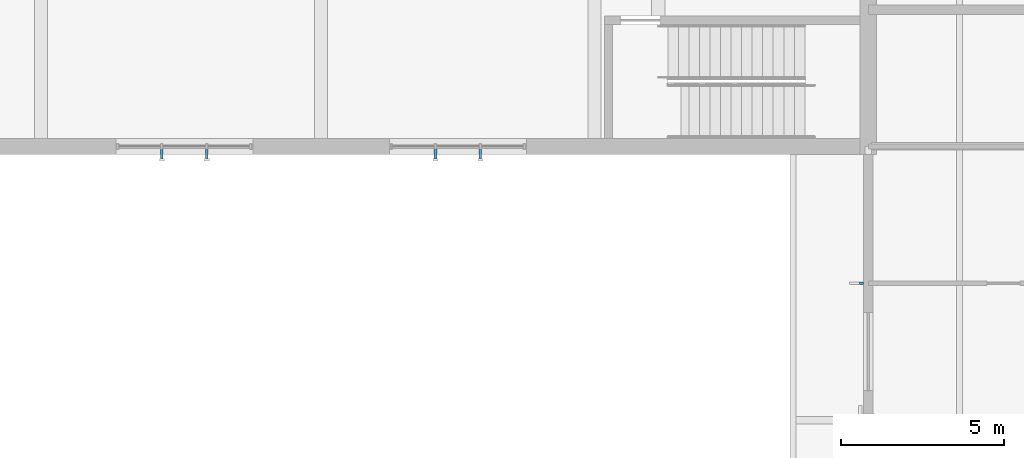
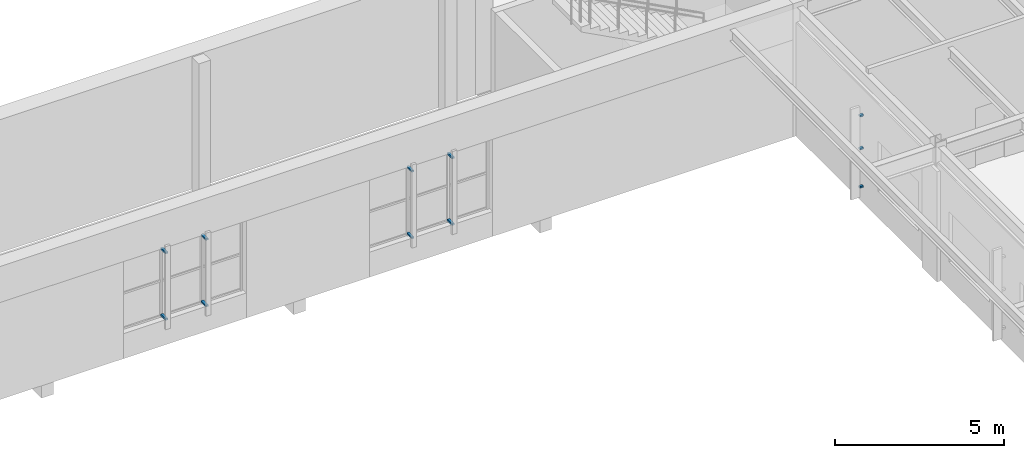
# One storey, part 90 of 116: 11 discrete accessories.
"""IFC4 building model written with IfcOpenShell, lengths in metres."""

import ifcopenshell
import ifcopenshell.guid

model = None  # the IFC model being written
_history = None  # IfcOwnerHistory: only IFC2X3 demands one
_inside = {}  # id of a spatial element -> (the spatial element, [elements in it])
_under = {}  # id of a project, library or spatial element -> (it, [spatial elements below it])
_declared = {}  # id of a project -> (the project, [libraries it declares])
_typed = {}  # id of a type object -> (the type object, [elements of that type])
_made_of = {}  # id of a material, layer set ... -> (it, [elements and type objects made of it])


def new_model(schema):
    """Start an empty IFC model of exactly this schema.

    Asked for "IFC4X3", IfcOpenShell would pick the latest addendum, in which some entities
    have other attributes; the version numbers below select the first issue.
    IFC2X3 requires an IfcOwnerHistory on every rooted entity: one is made here for all.
    """
    global model, _history
    if schema == "IFC4X3":
        model = ifcopenshell.file(schema_version=(4, 3, 0, 0))
    else:
        model = ifcopenshell.file(schema=schema)
    _inside.clear()
    _under.clear()
    _declared.clear()
    _typed.clear()
    _made_of.clear()
    _history = None
    if model.schema == "IFC2X3":
        org = make("IfcOrganization", Name="unknown")
        user = make(
            "IfcPersonAndOrganization",
            ThePerson=make("IfcPerson", FamilyName="unknown"),
            TheOrganization=org,
        )
        app = make(
            "IfcApplication",
            ApplicationDeveloper=org,
            Version="unknown",
            ApplicationFullName="unknown",
            ApplicationIdentifier="unknown",
        )
        _history = make(
            "IfcOwnerHistory",
            OwningUser=user,
            OwningApplication=app,
            ChangeAction="ADDED",
            CreationDate=0,
        )
    return model


def make(cls, **values):
    """One entity of the class cls with the attributes given. An attribute that is None is left unset."""
    return model.create_entity(
        cls, **{name: value for name, value in values.items() if value is not None}
    )


def rooted(cls, **values):
    """An entity with a GlobalId (a new one), such as an element, a storey or a relation."""
    return make(cls, GlobalId=ifcopenshell.guid.new(), OwnerHistory=_history, **values)


def si_unit(unit_type, name, prefix=None):
    """IfcSIUnit, for example si_unit("LENGTHUNIT", "METRE", prefix="MILLI")."""
    return make("IfcSIUnit", UnitType=unit_type, Prefix=prefix, Name=name)


def assignment(units):
    """IfcUnitAssignment: the units of a project."""
    return None if units is None else make("IfcUnitAssignment", Units=units)


def point(xyz):
    """IfcCartesianPoint."""
    return None if xyz is None else make("IfcCartesianPoint", Coordinates=xyz)


def direction(xyz):
    """IfcDirection."""
    return None if xyz is None else make("IfcDirection", DirectionRatios=xyz)


def frame(location, z_axis=None, x_axis=None):
    """IfcAxis2Placement3D, a coordinate frame: its origin and axes. An axis left out is left unset."""
    return make(
        "IfcAxis2Placement3D",
        Location=point(location),
        Axis=direction(z_axis),
        RefDirection=direction(x_axis),
    )


def frame_2d(location, x_axis=None):
    """IfcAxis2Placement2D, a coordinate frame in the plane: its origin and x axis."""
    return make(
        "IfcAxis2Placement2D", Location=point(location), RefDirection=direction(x_axis)
    )


def origin():
    """The frame at (0, 0, 0) with its axes left unset."""
    return frame((0.0, 0.0, 0.0))


def origin_2d():
    """The frame at (0, 0) in the plane with its x axis left unset."""
    return frame_2d((0.0, 0.0))


def place(relative_to, where):
    """IfcLocalPlacement: puts the frame where relative to a parent placement (None: the world)."""
    return make(
        "IfcLocalPlacement", PlacementRelTo=relative_to, RelativePlacement=where
    )


def context(
    kind, dimensions, precision=None, world=None, true_north=None, identifier=None
):
    """IfcGeometricRepresentationContext, for example the 3D "Model" context."""
    return make(
        "IfcGeometricRepresentationContext",
        ContextIdentifier=identifier,
        ContextType=kind,
        CoordinateSpaceDimension=dimensions,
        Precision=precision,
        WorldCoordinateSystem=world,
        TrueNorth=true_north,
    )


def subcontext(parent, identifier, kind, view, scale=None):
    """IfcGeometricRepresentationSubContext, for example "Body" below "Model"."""
    return make(
        "IfcGeometricRepresentationSubContext",
        ContextIdentifier=identifier,
        ContextType=kind,
        ParentContext=parent,
        TargetScale=scale,
        TargetView=view,
    )


def project(units=None, contexts=None):
    """IfcProject with its units and contexts."""
    return rooted(
        "IfcProject",
        Name="project",
        RepresentationContexts=contexts,
        UnitsInContext=assignment(units),
    )


def spatial(cls, under=None, at=None, **own):
    """A site, building, storey or space (cls), placed at a placement, below another one or the project."""
    s = rooted(cls, ObjectPlacement=at, **own)
    if under is not None:
        _under.setdefault(under.id(), (under, []))[1].append(s)
    return s


def profile(cls, at=None, kind="AREA", **sizes):
    """A parametric profile (cls). Its sizes go by their IFC names, for example OverallWidth=200.0."""
    return make(cls, ProfileType=kind, Position=at, **sizes)


def rectangle(**sizes):
    """IfcRectangleProfileDef."""
    return profile("IfcRectangleProfileDef", **sizes)


def extrude(swept, where, along, depth):
    """IfcExtrudedAreaSolid: the profile swept, set in the frame where, extruded along a direction by depth."""
    return make(
        "IfcExtrudedAreaSolid",
        SweptArea=swept,
        Position=where,
        ExtrudedDirection=direction(along),
        Depth=depth,
    )


def shape(context_of_items, identifier, shape_type, items):
    """IfcShapeRepresentation: the items that make up one representation, for example the "Body"."""
    return make(
        "IfcShapeRepresentation",
        ContextOfItems=context_of_items,
        RepresentationIdentifier=identifier,
        RepresentationType=shape_type,
        Items=items,
    )


def material(Name=None, Category=None):
    """IfcMaterial."""
    return make("IfcMaterial", Name=Name, Category=Category)


def made_of(thing, what):
    """Note that an element or type object is made of a material, layer set ...; save() writes the relation."""
    if what is not None:
        _made_of.setdefault(what.id(), (what, []))[1].append(thing)
    return thing


def type_object(cls, material=None, **own):
    """A type object (cls), such as IfcWallType, which elements share."""
    return made_of(rooted(cls, **own), material)


def element(
    cls,
    number,
    at=None,
    inside=None,
    cuts=None,
    type_object=None,
    material=None,
    context=None,
    identifier="Body",
    shape_type=None,
    held_by="IfcProductDefinitionShape",
    body=None,
    shapes=None,
    **own,
):
    """One element of the class cls, such as IfcWall. Its Tag is "e" and its number.

    at: its placement. inside: the storey or other place that contains it. cuts: it is an
    opening in that element (IfcRelVoidsElement). A single representation is given by context,
    identifier, shape_type and body (its items); several are given by shapes. held_by: the class
    of the entity that holds the representations. save() writes the other relations.
    """
    e = rooted(cls, Tag="e%d" % number, ObjectPlacement=at, **own)
    if body is not None:
        shapes = [shape(context, identifier, shape_type, body)]
    if shapes is not None:
        e.Representation = make(held_by, Representations=shapes)
    if inside is not None:
        _inside.setdefault(inside.id(), (inside, []))[1].append(e)
    if cuts is not None:
        rooted(
            "IfcRelVoidsElement", RelatingBuildingElement=cuts, RelatedOpeningElement=e
        )
    if type_object is not None:
        _typed.setdefault(type_object.id(), (type_object, []))[1].append(e)
    return made_of(e, material)


def aggregate(whole, parts):
    """IfcRelAggregates: a whole, such as a stair, and the parts it consists of."""
    return rooted("IfcRelAggregates", RelatingObject=whole, RelatedObjects=parts)


def save(model, path):
    """Write the relations noted so far, then the file.

    IfcRelAggregates (storeys below a building ...), IfcRelContainedInSpatialStructure (elements
    in a storey), IfcRelDefinesByType, IfcRelAssociatesMaterial and IfcRelDeclares: one each for
    every whole, place, type object, material and project.
    """
    for whole, parts in _under.values():
        aggregate(whole, parts)
    for where, things in _inside.values():
        rooted(
            "IfcRelContainedInSpatialStructure",
            RelatedElements=things,
            RelatingStructure=where,
        )
    for kind, things in _typed.values():
        rooted("IfcRelDefinesByType", RelatedObjects=things, RelatingType=kind)
    for what, things in _made_of.values():
        rooted("IfcRelAssociatesMaterial", RelatedObjects=things, RelatingMaterial=what)
    for by, libraries in _declared.values():
        rooted("IfcRelDeclares", RelatingContext=by, RelatedDefinitions=libraries)
    model.write(path)


model = new_model("IFC4")

# Units and contexts
model_context = context("Model", 3, precision=1e-05, world=origin(), true_north=direction((0.0, 1.0)))
body_context = subcontext(model_context, "Body", "Model", "MODEL_VIEW")
ifc_project = project(units=[si_unit("LENGTHUNIT", "METRE"), si_unit("AREAUNIT", "SQUARE_METRE"), si_unit("VOLUMEUNIT", "CUBIC_METRE"), si_unit("PLANEANGLEUNIT", "RADIAN"), si_unit("MASSUNIT", "GRAM", prefix="KILO")], contexts=[model_context])

# Site, building, storey
site_placement = place(None, origin())
site = spatial("IfcSite", under=ifc_project, at=site_placement, CompositionType="ELEMENT")
building_placement = place(site_placement, origin())
building = spatial("IfcBuilding", under=site, at=building_placement, Name="Ljudholm Concert House", CompositionType="ELEMENT")
storey_placement = place(building_placement, frame((0.0, 0.0, 10.199951171875)))
storey = spatial("IfcBuildingStorey", under=building, at=storey_placement, Name="L02", CompositionType="ELEMENT", Elevation=10.199951171875)

# Discrete accessories
ifc_material_1 = material(Name="Stainless steel bracket", Category="steel")
discrete_accessory_type_1 = type_object("IfcDiscreteAccessoryType", Name="BRACKET 120", PredefinedType="BRACKET", material=ifc_material_1)
for number, where, z_axis, x_axis, name in (
    (1, (96.18994140625, 50.199951171875, 0.570068359375), (0.0, 0.0, 1.0), (-1.0, 0.0, 0.0), "Fin bracket"),
    (2, (96.18994140625, 50.199951171875, 1.955078125), (0.0, 0.0, 1.0), (-1.0, 0.0, 0.0), "Fin bracket"),
    (3, (96.18994140625, 50.199951171875, 3.14013671875), (0.0, 0.0, 1.0), (-1.0, 0.0, 0.0), "Fin bracket"),
):
    element("IfcDiscreteAccessory", number, at=place(storey_placement, frame(where, z_axis=z_axis, x_axis=x_axis)), inside=storey, type_object=discrete_accessory_type_1, Name=name, PredefinedType="BRACKET", context=body_context, shape_type="SweptSolid", body=[
        extrude(rectangle(XDim=0.1201171875, YDim=0.080078125, at=origin_2d()), origin(), (0.0, 0.0, 1.0), 0.06005859375),
    ])
ifc_material_2 = material(Name="Stainless steel bracket", Category="steel")
discrete_accessory_type_2 = type_object("IfcDiscreteAccessoryType", Name="BRACKET 290", PredefinedType="BRACKET", material=ifc_material_2)
for number, where, z_axis, x_axis, name in (
    (4, (74.7099609375, 54.175048828125, 0.969970703125), (0.0, 0.0, 1.0), (0.0, -1.0, 0.0), "Fin bracket"),
    (5, (74.7099609375, 54.175048828125, 3.3701171875), (0.0, 0.0, 1.0), (0.0, -1.0, 0.0), "Fin bracket"),
    (6, (76.090087890625, 54.175048828125, 0.969970703125), (0.0, 0.0, 1.0), (0.0, -1.0, 0.0), "Fin bracket"),
    (7, (76.090087890625, 54.175048828125, 3.3701171875), (0.0, 0.0, 1.0), (0.0, -1.0, 0.0), "Fin bracket"),
    (8, (83.110107421875, 54.175048828125, 0.969970703125), (0.0, 0.0, 1.0), (0.0, -1.0, 0.0), "Fin bracket"),
    (9, (83.110107421875, 54.175048828125, 3.3701171875), (0.0, 0.0, 1.0), (0.0, -1.0, 0.0), "Fin bracket"),
    (10, (84.489990234375, 54.175048828125, 0.969970703125), (0.0, 0.0, 1.0), (0.0, -1.0, 0.0), "Fin bracket"),
    (11, (84.489990234375, 54.175048828125, 3.3701171875), (0.0, 0.0, 1.0), (0.0, -1.0, 0.0), "Fin bracket"),
):
    element("IfcDiscreteAccessory", number, at=place(storey_placement, frame(where, z_axis=z_axis, x_axis=x_axis)), inside=storey, type_object=discrete_accessory_type_2, Name=name, PredefinedType="BRACKET", context=body_context, shape_type="SweptSolid", body=[
        extrude(rectangle(XDim=0.2900390625, YDim=0.080078125, at=origin_2d()), origin(), (0.0, 0.0, 1.0), 0.06005859375),
    ])

save(model, "model.ifc")
